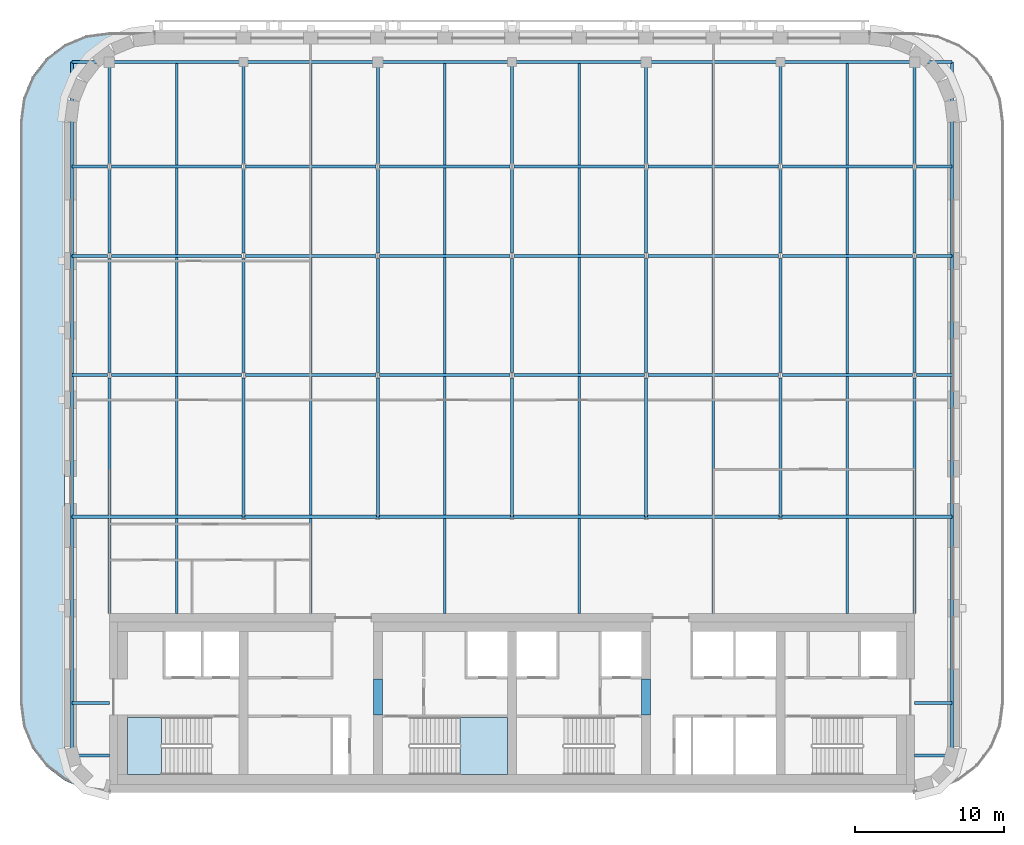
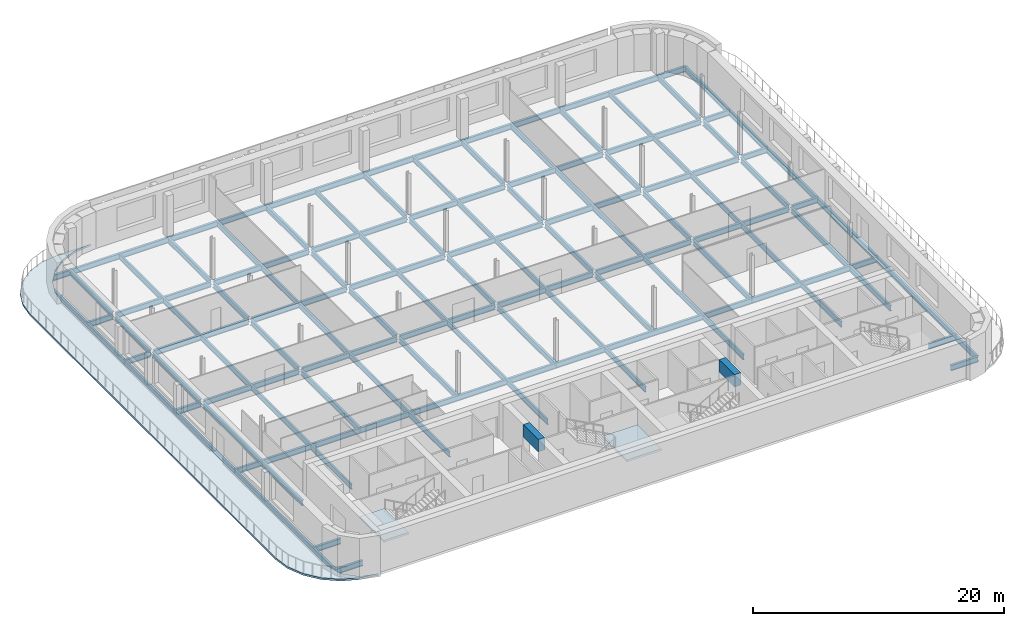
# One storey, part 5 of 13: 78 beams, 3 slabs, 2 elements without a shape of their own.
"""IFC4 building model written with IfcOpenShell, lengths in metres."""

from ifc_helpers import new_model, si_unit, direction, frame, origin, origin_2d, place, context, subcontext, project, spatial, polyline, rectangle, i_section, outline, extrude, material, layer, layer_set, material_profile, profile_set, type_object, element, aggregate, save


model = new_model("IFC4")

# Units and contexts
model_context = context("Model", 3, precision=1e-05, world=origin(), true_north=direction((0.0, 1.0)))
body_context = subcontext(model_context, "Body", "Model", "MODEL_VIEW")
ifc_project = project(units=[si_unit("LENGTHUNIT", "METRE"), si_unit("AREAUNIT", "SQUARE_METRE"), si_unit("VOLUMEUNIT", "CUBIC_METRE"), si_unit("PLANEANGLEUNIT", "RADIAN"), si_unit("MASSUNIT", "GRAM", prefix="KILO")], contexts=[model_context])

# Site, building, storey
site_placement = place(None, origin())
site = spatial("IfcSite", under=ifc_project, at=site_placement, CompositionType="ELEMENT")
building_placement = place(site_placement, origin())
building = spatial("IfcBuilding", under=site, at=building_placement, Name="Zellij Exchange Tower", CompositionType="ELEMENT")
storey_placement = place(building_placement, frame((0.0, 0.0, 292.5)))
storey = spatial("IfcBuildingStorey", under=building, at=storey_placement, Name="L69", CompositionType="ELEMENT", Elevation=292.5)

# Beams
ifc_material_1 = material(Name="Concrete C50/60", Category="concrete")
ifc_material_profile_1 = material_profile(ifc_material_1, rectangle(XDim=0.60009765625, YDim=1.199951171875, at=origin_2d()), Name="CORE-CB 600x1200 C50/60")
ifc_profile_set_1 = profile_set([ifc_material_profile_1], Name="Concrete C50/60")
beam_type_1 = type_object("IfcBeamType", Name="CORE-CB 600x1200 C50/60", PredefinedType="BEAM", material=ifc_profile_set_1)
for number, where, z_axis, x_axis, name in (
    (1, (-9.0, -8.800048828125, 3.0), (0.0, 1.0, 0.0), (-1.0, 0.0, 0.0), "Core coupling beam x -9 L69"),
    (2, (9.0, -8.800048828125, 3.0), (0.0, 1.0, 0.0), (-1.0, 0.0, 0.0), "Core coupling beam x 9 L69"),
):
    element("IfcBeam", number, at=place(storey_placement, frame(where, z_axis=z_axis, x_axis=x_axis)), inside=storey, type_object=beam_type_1, Name=name, PredefinedType="BEAM", context=body_context, shape_type="SweptSolid", body=[
        extrude(rectangle(XDim=0.60009765625, YDim=1.199951171875, at=origin_2d()), origin(), (0.0, 0.0, 1.0), 2.425048828125),
    ])
ifc_material_2 = material(Name="Structural steel ASTM A992 Gr 50", Category="steel")
ifc_material_profile_2 = material_profile(ifc_material_2, i_section(OverallWidth=0.1650390625, OverallDepth=0.52587890625, WebThickness=0.0087890625, FlangeThickness=0.011474609375, at=origin_2d()), Name="W21x44")
ifc_profile_set_2 = profile_set([ifc_material_profile_2], Name="Structural steel ASTM A992 Gr 50")
beam_type_2 = type_object("IfcBeamType", Name="STR-BEAM W21x44", PredefinedType="BEAM", material=ifc_profile_set_2)
for number, where, z_axis, x_axis, name in (
    (3, (-22.5, -2.0, -0.48291015625), (0.0, 1.0, 0.0), (-1.0, 0.0, 0.0), "B2"),
    (4, (-13.5, -2.0, -0.48291015625), (0.0, 1.0, 0.0), (-1.0, 0.0, 0.0), "B2"),
    (5, (-4.5, -2.0, -0.48291015625), (0.0, 1.0, 0.0), (-1.0, 0.0, 0.0), "B2"),
    (6, (4.5, -2.0, -0.48291015625), (0.0, 1.0, 0.0), (-1.0, 0.0, 0.0), "B2"),
    (7, (13.5, -2.0, -0.48291015625), (0.0, 1.0, 0.0), (-1.0, 0.0, 0.0), "B2"),
    (8, (22.5, -2.0, -0.48291015625), (0.0, 1.0, 0.0), (-1.0, 0.0, 0.0), "B2"),
):
    element("IfcBeam", number, at=place(storey_placement, frame(where, z_axis=z_axis, x_axis=x_axis)), inside=storey, type_object=beam_type_2, Name=name, PredefinedType="BEAM", context=body_context, shape_type="SweptSolid", body=[
        extrude(i_section(OverallWidth=0.1650390625, OverallDepth=0.52587890625, WebThickness=0.0087890625, FlangeThickness=0.011474609375, at=origin_2d()), origin(), (0.0, 0.0, 1.0), 37.1044921875),
    ])
ifc_material_profile_3 = material_profile(ifc_material_2, i_section(OverallWidth=0.209228515625, OverallDepth=0.533447265625, WebThickness=0.01025390625, FlangeThickness=0.015625, at=origin_2d()), Name="W21x62")
ifc_profile_set_3 = profile_set([ifc_material_profile_3], Name="Structural steel ASTM A992 Gr 50")
beam_type_3 = type_object("IfcBeamType", Name="STR-GIRDER W21x62", PredefinedType="BEAM", material=ifc_profile_set_3)
for number, where, z_axis, x_axis, name in (
    (9, (-29.5, -11.5, -0.48681640625), (1.0, 0.0, 0.0), (0.0, 1.0, 0.0), "G1"),
    (10, (27.0, -11.5, -0.48681640625), (1.0, 0.0, 0.0), (0.0, 1.0, 0.0), "G1"),
    (11, (-29.5, -8.0, -0.48681640625), (1.0, 0.0, 0.0), (0.0, 1.0, 0.0), "G1"),
    (12, (27.0, -8.0, -0.48681640625), (1.0, 0.0, 0.0), (0.0, 1.0, 0.0), "G1"),
):
    element("IfcBeam", number, at=place(storey_placement, frame(where, z_axis=z_axis, x_axis=x_axis)), inside=storey, type_object=beam_type_3, Name=name, PredefinedType="BEAM", context=body_context, shape_type="SweptSolid", body=[
        extrude(i_section(OverallWidth=0.209228515625, OverallDepth=0.533447265625, WebThickness=0.01025390625, FlangeThickness=0.015625, at=origin_2d()), origin(), (0.0, 0.0, 1.0), 2.5),
    ])
beam_1_placement = place(storey_placement, frame((-29.5, 4.5, -0.48681640625), z_axis=(1.0, 0.0, 0.0), x_axis=(0.0, 1.0, 0.0)))
element("IfcBeam", 13, at=beam_1_placement, inside=storey, type_object=beam_type_3, Name="G1", PredefinedType="BEAM", context=body_context, shape_type="SweptSolid", body=[
    extrude(i_section(OverallWidth=0.209228515625, OverallDepth=0.533447265625, WebThickness=0.01025390625, FlangeThickness=0.015625, at=origin_2d()), origin(), (0.0, 0.0, 1.0), 11.5),
])
for number, where, z_axis, x_axis, name in (
    (14, (-18.0, 4.5, -0.48681640625), (1.0, 0.0, 0.0), (0.0, 1.0, 0.0), "G1"),
    (15, (0.0, 4.5, -0.48681640625), (1.0, 0.0, 0.0), (0.0, 1.0, 0.0), "G1"),
):
    element("IfcBeam", number, at=place(storey_placement, frame(where, z_axis=z_axis, x_axis=x_axis)), inside=storey, type_object=beam_type_3, Name=name, PredefinedType="BEAM", context=body_context, shape_type="SweptSolid", body=[
        extrude(i_section(OverallWidth=0.209228515625, OverallDepth=0.533447265625, WebThickness=0.01025390625, FlangeThickness=0.015625, at=origin_2d()), origin(), (0.0, 0.0, 1.0), 18.0),
    ])
beam_2_placement = place(storey_placement, frame((18.0, 4.5, -0.48681640625), z_axis=(1.0, 0.0, 0.0), x_axis=(0.0, 1.0, 0.0)))
element("IfcBeam", 16, at=beam_2_placement, inside=storey, type_object=beam_type_3, Name="G1", PredefinedType="BEAM", context=body_context, shape_type="SweptSolid", body=[
    extrude(i_section(OverallWidth=0.209228515625, OverallDepth=0.533447265625, WebThickness=0.01025390625, FlangeThickness=0.015625, at=origin_2d()), origin(), (0.0, 0.0, 1.0), 11.5),
])
beam_3_placement = place(storey_placement, frame((-29.5, 14.0, -0.48681640625), z_axis=(1.0, 0.0, 0.0), x_axis=(0.0, 1.0, 0.0)))
element("IfcBeam", 17, at=beam_3_placement, inside=storey, type_object=beam_type_3, Name="G1", PredefinedType="BEAM", context=body_context, shape_type="SweptSolid", body=[
    extrude(i_section(OverallWidth=0.209228515625, OverallDepth=0.533447265625, WebThickness=0.01025390625, FlangeThickness=0.015625, at=origin_2d()), origin(), (0.0, 0.0, 1.0), 2.373046875),
])
for number, where, z_axis, x_axis, name in (
    (18, (-26.873046875, 14.0, -0.48681640625), (1.0, 0.0, 0.0), (0.0, 1.0, 0.0), "G1"),
    (19, (-17.873046875, 14.0, -0.48681640625), (1.0, 0.0, 0.0), (0.0, 1.0, 0.0), "G1"),
    (20, (-8.873046875, 14.0, -0.48681640625), (1.0, 0.0, 0.0), (0.0, 1.0, 0.0), "G1"),
    (21, (0.126953125, 14.0, -0.48681640625), (1.0, 0.0, 0.0), (0.0, 1.0, 0.0), "G1"),
    (22, (9.126953125, 14.0, -0.48681640625), (1.0, 0.0, 0.0), (0.0, 1.0, 0.0), "G1"),
    (23, (18.126953125, 14.0, -0.48681640625), (1.0, 0.0, 0.0), (0.0, 1.0, 0.0), "G1"),
):
    element("IfcBeam", number, at=place(storey_placement, frame(where, z_axis=z_axis, x_axis=x_axis)), inside=storey, type_object=beam_type_3, Name=name, PredefinedType="BEAM", context=body_context, shape_type="SweptSolid", body=[
        extrude(i_section(OverallWidth=0.209228515625, OverallDepth=0.533447265625, WebThickness=0.01025390625, FlangeThickness=0.015625, at=origin_2d()), origin(), (0.0, 0.0, 1.0), 8.74609375),
    ])
for number, where, z_axis, x_axis, name in (
    (24, (27.126953125, 14.0, -0.48681640625), (1.0, 0.0, 0.0), (0.0, 1.0, 0.0), "G1"),
    (25, (-29.5, 22.0, -0.48681640625), (1.0, 0.0, 0.0), (0.0, 1.0, 0.0), "G1"),
):
    element("IfcBeam", number, at=place(storey_placement, frame(where, z_axis=z_axis, x_axis=x_axis)), inside=storey, type_object=beam_type_3, Name=name, PredefinedType="BEAM", context=body_context, shape_type="SweptSolid", body=[
        extrude(i_section(OverallWidth=0.209228515625, OverallDepth=0.533447265625, WebThickness=0.01025390625, FlangeThickness=0.015625, at=origin_2d()), origin(), (0.0, 0.0, 1.0), 2.373046875),
    ])
for number, where, z_axis, x_axis, name in (
    (26, (-26.873046875, 22.0, -0.48681640625), (1.0, 0.0, 0.0), (0.0, 1.0, 0.0), "G1"),
    (27, (-17.873046875, 22.0, -0.48681640625), (1.0, 0.0, 0.0), (0.0, 1.0, 0.0), "G1"),
    (28, (-8.873046875, 22.0, -0.48681640625), (1.0, 0.0, 0.0), (0.0, 1.0, 0.0), "G1"),
    (29, (0.126953125, 22.0, -0.48681640625), (1.0, 0.0, 0.0), (0.0, 1.0, 0.0), "G1"),
    (30, (9.126953125, 22.0, -0.48681640625), (1.0, 0.0, 0.0), (0.0, 1.0, 0.0), "G1"),
    (31, (18.126953125, 22.0, -0.48681640625), (1.0, 0.0, 0.0), (0.0, 1.0, 0.0), "G1"),
):
    element("IfcBeam", number, at=place(storey_placement, frame(where, z_axis=z_axis, x_axis=x_axis)), inside=storey, type_object=beam_type_3, Name=name, PredefinedType="BEAM", context=body_context, shape_type="SweptSolid", body=[
        extrude(i_section(OverallWidth=0.209228515625, OverallDepth=0.533447265625, WebThickness=0.01025390625, FlangeThickness=0.015625, at=origin_2d()), origin(), (0.0, 0.0, 1.0), 8.74609375),
    ])
for number, where, z_axis, x_axis, name in (
    (32, (27.126953125, 22.0, -0.48681640625), (1.0, 0.0, 0.0), (0.0, 1.0, 0.0), "G1"),
    (33, (-29.5, 28.0, -0.48681640625), (1.0, 0.0, 0.0), (0.0, 1.0, 0.0), "G1"),
):
    element("IfcBeam", number, at=place(storey_placement, frame(where, z_axis=z_axis, x_axis=x_axis)), inside=storey, type_object=beam_type_3, Name=name, PredefinedType="BEAM", context=body_context, shape_type="SweptSolid", body=[
        extrude(i_section(OverallWidth=0.209228515625, OverallDepth=0.533447265625, WebThickness=0.01025390625, FlangeThickness=0.015625, at=origin_2d()), origin(), (0.0, 0.0, 1.0), 2.373046875),
    ])
for number, where, z_axis, x_axis, name in (
    (34, (-26.873046875, 28.0, -0.48681640625), (1.0, 0.0, 0.0), (0.0, 1.0, 0.0), "G1"),
    (35, (-17.873046875, 28.0, -0.48681640625), (1.0, 0.0, 0.0), (0.0, 1.0, 0.0), "G1"),
    (36, (-8.873046875, 28.0, -0.48681640625), (1.0, 0.0, 0.0), (0.0, 1.0, 0.0), "G1"),
    (37, (0.126953125, 28.0, -0.48681640625), (1.0, 0.0, 0.0), (0.0, 1.0, 0.0), "G1"),
    (38, (9.126953125, 28.0, -0.48681640625), (1.0, 0.0, 0.0), (0.0, 1.0, 0.0), "G1"),
    (39, (18.126953125, 28.0, -0.48681640625), (1.0, 0.0, 0.0), (0.0, 1.0, 0.0), "G1"),
):
    element("IfcBeam", number, at=place(storey_placement, frame(where, z_axis=z_axis, x_axis=x_axis)), inside=storey, type_object=beam_type_3, Name=name, PredefinedType="BEAM", context=body_context, shape_type="SweptSolid", body=[
        extrude(i_section(OverallWidth=0.209228515625, OverallDepth=0.533447265625, WebThickness=0.01025390625, FlangeThickness=0.015625, at=origin_2d()), origin(), (0.0, 0.0, 1.0), 8.74609375),
    ])
beam_4_placement = place(storey_placement, frame((27.126953125, 28.0, -0.48681640625), z_axis=(1.0, 0.0, 0.0), x_axis=(0.0, 1.0, 0.0)))
element("IfcBeam", 40, at=beam_4_placement, inside=storey, type_object=beam_type_3, Name="G1", PredefinedType="BEAM", context=body_context, shape_type="SweptSolid", body=[
    extrude(i_section(OverallWidth=0.209228515625, OverallDepth=0.533447265625, WebThickness=0.01025390625, FlangeThickness=0.015625, at=origin_2d()), origin(), (0.0, 0.0, 1.0), 2.373046875),
])
beam_5_placement = place(storey_placement, frame((-29.5, 35.0, -0.48681640625), z_axis=(1.0, 0.0, 0.0), x_axis=(0.0, 1.0, 0.0)))
element("IfcBeam", 41, at=beam_5_placement, inside=storey, type_object=beam_type_3, Name="G1", PredefinedType="BEAM", context=body_context, shape_type="SweptSolid", body=[
    extrude(i_section(OverallWidth=0.209228515625, OverallDepth=0.533447265625, WebThickness=0.01025390625, FlangeThickness=0.015625, at=origin_2d()), origin(), (0.0, 0.0, 1.0), 11.5),
])
for number, where, z_axis, x_axis, name in (
    (42, (-18.0, 35.0, -0.48681640625), (1.0, 0.0, 0.0), (0.0, 1.0, 0.0), "G1"),
    (43, (0.0, 35.0, -0.48681640625), (1.0, 0.0, 0.0), (0.0, 1.0, 0.0), "G1"),
):
    element("IfcBeam", number, at=place(storey_placement, frame(where, z_axis=z_axis, x_axis=x_axis)), inside=storey, type_object=beam_type_3, Name=name, PredefinedType="BEAM", context=body_context, shape_type="SweptSolid", body=[
        extrude(i_section(OverallWidth=0.209228515625, OverallDepth=0.533447265625, WebThickness=0.01025390625, FlangeThickness=0.015625, at=origin_2d()), origin(), (0.0, 0.0, 1.0), 18.0),
    ])
beam_6_placement = place(storey_placement, frame((18.0, 35.0, -0.48681640625), z_axis=(1.0, 0.0, 0.0), x_axis=(0.0, 1.0, 0.0)))
element("IfcBeam", 44, at=beam_6_placement, inside=storey, type_object=beam_type_3, Name="G1", PredefinedType="BEAM", context=body_context, shape_type="SweptSolid", body=[
    extrude(i_section(OverallWidth=0.209228515625, OverallDepth=0.533447265625, WebThickness=0.01025390625, FlangeThickness=0.015625, at=origin_2d()), origin(), (0.0, 0.0, 1.0), 11.5),
])
beam_7_placement = place(storey_placement, frame((-29.5, -11.5, -0.48681640625), z_axis=(0.0, 1.0, 0.0), x_axis=(-1.0, 0.0, 0.0)))
element("IfcBeam", 45, at=beam_7_placement, inside=storey, type_object=beam_type_3, Name="G1", PredefinedType="BEAM", context=body_context, shape_type="SweptSolid", body=[
    extrude(i_section(OverallWidth=0.209228515625, OverallDepth=0.533447265625, WebThickness=0.01025390625, FlangeThickness=0.015625, at=origin_2d()), origin(), (0.0, 0.0, 1.0), 16.0),
])
beam_8_placement = place(storey_placement, frame((-29.5, 4.5, -0.48681640625), z_axis=(0.0, 1.0, 0.0), x_axis=(-1.0, 0.0, 0.0)))
element("IfcBeam", 46, at=beam_8_placement, inside=storey, type_object=beam_type_3, Name="G1", PredefinedType="BEAM", context=body_context, shape_type="SweptSolid", body=[
    extrude(i_section(OverallWidth=0.209228515625, OverallDepth=0.533447265625, WebThickness=0.01025390625, FlangeThickness=0.015625, at=origin_2d()), origin(), (0.0, 0.0, 1.0), 17.5),
])
beam_9_placement = place(storey_placement, frame((-29.5, 22.0, -0.48681640625), z_axis=(0.0, 1.0, 0.0), x_axis=(-1.0, 0.0, 0.0)))
element("IfcBeam", 47, at=beam_9_placement, inside=storey, type_object=beam_type_3, Name="G1", PredefinedType="BEAM", context=body_context, shape_type="SweptSolid", body=[
    extrude(i_section(OverallWidth=0.209228515625, OverallDepth=0.533447265625, WebThickness=0.01025390625, FlangeThickness=0.015625, at=origin_2d()), origin(), (0.0, 0.0, 1.0), 13.0),
])
beam_10_placement = place(storey_placement, frame((-27.0, -2.0, -0.48681640625), z_axis=(0.0, 1.0, 0.0), x_axis=(-1.0, 0.0, 0.0)))
element("IfcBeam", 48, at=beam_10_placement, inside=storey, type_object=beam_type_3, Name="G1", PredefinedType="BEAM", context=body_context, shape_type="SweptSolid", body=[
    extrude(i_section(OverallWidth=0.209228515625, OverallDepth=0.533447265625, WebThickness=0.01025390625, FlangeThickness=0.015625, at=origin_2d()), origin(), (0.0, 0.0, 1.0), 15.823486328125),
])
beam_11_placement = place(storey_placement, frame((-27.0, 14.176513671875, -0.48681640625), z_axis=(0.0, 1.0, 0.0), x_axis=(-1.0, 0.0, 0.0)))
element("IfcBeam", 49, at=beam_11_placement, inside=storey, type_object=beam_type_3, Name="G1", PredefinedType="BEAM", context=body_context, shape_type="SweptSolid", body=[
    extrude(i_section(OverallWidth=0.209228515625, OverallDepth=0.533447265625, WebThickness=0.01025390625, FlangeThickness=0.015625, at=origin_2d()), origin(), (0.0, 0.0, 1.0), 7.64697265625),
])
beam_12_placement = place(storey_placement, frame((-27.0, 22.176513671875, -0.48681640625), z_axis=(0.0, 1.0, 0.0), x_axis=(-1.0, 0.0, 0.0)))
element("IfcBeam", 50, at=beam_12_placement, inside=storey, type_object=beam_type_3, Name="G1", PredefinedType="BEAM", context=body_context, shape_type="SweptSolid", body=[
    extrude(i_section(OverallWidth=0.209228515625, OverallDepth=0.533447265625, WebThickness=0.01025390625, FlangeThickness=0.015625, at=origin_2d()), origin(), (0.0, 0.0, 1.0), 5.64697265625),
])
beam_13_placement = place(storey_placement, frame((-27.0, 28.176513671875, -0.48681640625), z_axis=(0.0, 1.0, 0.0), x_axis=(-1.0, 0.0, 0.0)))
element("IfcBeam", 51, at=beam_13_placement, inside=storey, type_object=beam_type_3, Name="G1", PredefinedType="BEAM", context=body_context, shape_type="SweptSolid", body=[
    extrude(i_section(OverallWidth=0.209228515625, OverallDepth=0.533447265625, WebThickness=0.01025390625, FlangeThickness=0.015625, at=origin_2d()), origin(), (0.0, 0.0, 1.0), 6.823486328125),
])
beam_14_placement = place(storey_placement, frame((-18.0, 4.5, -0.48681640625), z_axis=(0.0, 1.0, 0.0), x_axis=(-1.0, 0.0, 0.0)))
element("IfcBeam", 52, at=beam_14_placement, inside=storey, type_object=beam_type_3, Name="G1", PredefinedType="BEAM", context=body_context, shape_type="SweptSolid", body=[
    extrude(i_section(OverallWidth=0.209228515625, OverallDepth=0.533447265625, WebThickness=0.01025390625, FlangeThickness=0.015625, at=origin_2d()), origin(), (0.0, 0.0, 1.0), 9.323486328125),
])
beam_15_placement = place(storey_placement, frame((-18.0, 14.176513671875, -0.48681640625), z_axis=(0.0, 1.0, 0.0), x_axis=(-1.0, 0.0, 0.0)))
element("IfcBeam", 53, at=beam_15_placement, inside=storey, type_object=beam_type_3, Name="G1", PredefinedType="BEAM", context=body_context, shape_type="SweptSolid", body=[
    extrude(i_section(OverallWidth=0.209228515625, OverallDepth=0.533447265625, WebThickness=0.01025390625, FlangeThickness=0.015625, at=origin_2d()), origin(), (0.0, 0.0, 1.0), 7.64697265625),
])
beam_16_placement = place(storey_placement, frame((-18.0, 22.176513671875, -0.48681640625), z_axis=(0.0, 1.0, 0.0), x_axis=(-1.0, 0.0, 0.0)))
element("IfcBeam", 54, at=beam_16_placement, inside=storey, type_object=beam_type_3, Name="G1", PredefinedType="BEAM", context=body_context, shape_type="SweptSolid", body=[
    extrude(i_section(OverallWidth=0.209228515625, OverallDepth=0.533447265625, WebThickness=0.01025390625, FlangeThickness=0.015625, at=origin_2d()), origin(), (0.0, 0.0, 1.0), 5.64697265625),
])
beam_17_placement = place(storey_placement, frame((-18.0, 28.176513671875, -0.48681640625), z_axis=(0.0, 1.0, 0.0), x_axis=(-1.0, 0.0, 0.0)))
element("IfcBeam", 55, at=beam_17_placement, inside=storey, type_object=beam_type_3, Name="G1", PredefinedType="BEAM", context=body_context, shape_type="SweptSolid", body=[
    extrude(i_section(OverallWidth=0.209228515625, OverallDepth=0.533447265625, WebThickness=0.01025390625, FlangeThickness=0.015625, at=origin_2d()), origin(), (0.0, 0.0, 1.0), 6.823486328125),
])
beam_18_placement = place(storey_placement, frame((-9.0, 4.5, -0.48681640625), z_axis=(0.0, 1.0, 0.0), x_axis=(-1.0, 0.0, 0.0)))
element("IfcBeam", 56, at=beam_18_placement, inside=storey, type_object=beam_type_3, Name="G1", PredefinedType="BEAM", context=body_context, shape_type="SweptSolid", body=[
    extrude(i_section(OverallWidth=0.209228515625, OverallDepth=0.533447265625, WebThickness=0.01025390625, FlangeThickness=0.015625, at=origin_2d()), origin(), (0.0, 0.0, 1.0), 9.323486328125),
])
beam_19_placement = place(storey_placement, frame((-9.0, 14.176513671875, -0.48681640625), z_axis=(0.0, 1.0, 0.0), x_axis=(-1.0, 0.0, 0.0)))
element("IfcBeam", 57, at=beam_19_placement, inside=storey, type_object=beam_type_3, Name="G1", PredefinedType="BEAM", context=body_context, shape_type="SweptSolid", body=[
    extrude(i_section(OverallWidth=0.209228515625, OverallDepth=0.533447265625, WebThickness=0.01025390625, FlangeThickness=0.015625, at=origin_2d()), origin(), (0.0, 0.0, 1.0), 7.64697265625),
])
beam_20_placement = place(storey_placement, frame((-9.0, 22.176513671875, -0.48681640625), z_axis=(0.0, 1.0, 0.0), x_axis=(-1.0, 0.0, 0.0)))
element("IfcBeam", 58, at=beam_20_placement, inside=storey, type_object=beam_type_3, Name="G1", PredefinedType="BEAM", context=body_context, shape_type="SweptSolid", body=[
    extrude(i_section(OverallWidth=0.209228515625, OverallDepth=0.533447265625, WebThickness=0.01025390625, FlangeThickness=0.015625, at=origin_2d()), origin(), (0.0, 0.0, 1.0), 5.64697265625),
])
beam_21_placement = place(storey_placement, frame((-9.0, 28.176513671875, -0.48681640625), z_axis=(0.0, 1.0, 0.0), x_axis=(-1.0, 0.0, 0.0)))
element("IfcBeam", 59, at=beam_21_placement, inside=storey, type_object=beam_type_3, Name="G1", PredefinedType="BEAM", context=body_context, shape_type="SweptSolid", body=[
    extrude(i_section(OverallWidth=0.209228515625, OverallDepth=0.533447265625, WebThickness=0.01025390625, FlangeThickness=0.015625, at=origin_2d()), origin(), (0.0, 0.0, 1.0), 6.823486328125),
])
beam_22_placement = place(storey_placement, frame((0.0, 4.5, -0.48681640625), z_axis=(0.0, 1.0, 0.0), x_axis=(-1.0, 0.0, 0.0)))
element("IfcBeam", 60, at=beam_22_placement, inside=storey, type_object=beam_type_3, Name="G1", PredefinedType="BEAM", context=body_context, shape_type="SweptSolid", body=[
    extrude(i_section(OverallWidth=0.209228515625, OverallDepth=0.533447265625, WebThickness=0.01025390625, FlangeThickness=0.015625, at=origin_2d()), origin(), (0.0, 0.0, 1.0), 9.323486328125),
])
beam_23_placement = place(storey_placement, frame((0.0, 14.176513671875, -0.48681640625), z_axis=(0.0, 1.0, 0.0), x_axis=(-1.0, 0.0, 0.0)))
element("IfcBeam", 61, at=beam_23_placement, inside=storey, type_object=beam_type_3, Name="G1", PredefinedType="BEAM", context=body_context, shape_type="SweptSolid", body=[
    extrude(i_section(OverallWidth=0.209228515625, OverallDepth=0.533447265625, WebThickness=0.01025390625, FlangeThickness=0.015625, at=origin_2d()), origin(), (0.0, 0.0, 1.0), 7.64697265625),
])
beam_24_placement = place(storey_placement, frame((0.0, 22.176513671875, -0.48681640625), z_axis=(0.0, 1.0, 0.0), x_axis=(-1.0, 0.0, 0.0)))
element("IfcBeam", 62, at=beam_24_placement, inside=storey, type_object=beam_type_3, Name="G1", PredefinedType="BEAM", context=body_context, shape_type="SweptSolid", body=[
    extrude(i_section(OverallWidth=0.209228515625, OverallDepth=0.533447265625, WebThickness=0.01025390625, FlangeThickness=0.015625, at=origin_2d()), origin(), (0.0, 0.0, 1.0), 5.64697265625),
])
beam_25_placement = place(storey_placement, frame((0.0, 28.176513671875, -0.48681640625), z_axis=(0.0, 1.0, 0.0), x_axis=(-1.0, 0.0, 0.0)))
element("IfcBeam", 63, at=beam_25_placement, inside=storey, type_object=beam_type_3, Name="G1", PredefinedType="BEAM", context=body_context, shape_type="SweptSolid", body=[
    extrude(i_section(OverallWidth=0.209228515625, OverallDepth=0.533447265625, WebThickness=0.01025390625, FlangeThickness=0.015625, at=origin_2d()), origin(), (0.0, 0.0, 1.0), 6.823486328125),
])
beam_26_placement = place(storey_placement, frame((9.0, 4.5, -0.48681640625), z_axis=(0.0, 1.0, 0.0), x_axis=(-1.0, 0.0, 0.0)))
element("IfcBeam", 64, at=beam_26_placement, inside=storey, type_object=beam_type_3, Name="G1", PredefinedType="BEAM", context=body_context, shape_type="SweptSolid", body=[
    extrude(i_section(OverallWidth=0.209228515625, OverallDepth=0.533447265625, WebThickness=0.01025390625, FlangeThickness=0.015625, at=origin_2d()), origin(), (0.0, 0.0, 1.0), 9.323486328125),
])
beam_27_placement = place(storey_placement, frame((9.0, 14.176513671875, -0.48681640625), z_axis=(0.0, 1.0, 0.0), x_axis=(-1.0, 0.0, 0.0)))
element("IfcBeam", 65, at=beam_27_placement, inside=storey, type_object=beam_type_3, Name="G1", PredefinedType="BEAM", context=body_context, shape_type="SweptSolid", body=[
    extrude(i_section(OverallWidth=0.209228515625, OverallDepth=0.533447265625, WebThickness=0.01025390625, FlangeThickness=0.015625, at=origin_2d()), origin(), (0.0, 0.0, 1.0), 7.64697265625),
])
beam_28_placement = place(storey_placement, frame((9.0, 22.176513671875, -0.48681640625), z_axis=(0.0, 1.0, 0.0), x_axis=(-1.0, 0.0, 0.0)))
element("IfcBeam", 66, at=beam_28_placement, inside=storey, type_object=beam_type_3, Name="G1", PredefinedType="BEAM", context=body_context, shape_type="SweptSolid", body=[
    extrude(i_section(OverallWidth=0.209228515625, OverallDepth=0.533447265625, WebThickness=0.01025390625, FlangeThickness=0.015625, at=origin_2d()), origin(), (0.0, 0.0, 1.0), 5.64697265625),
])
beam_29_placement = place(storey_placement, frame((9.0, 28.176513671875, -0.48681640625), z_axis=(0.0, 1.0, 0.0), x_axis=(-1.0, 0.0, 0.0)))
element("IfcBeam", 67, at=beam_29_placement, inside=storey, type_object=beam_type_3, Name="G1", PredefinedType="BEAM", context=body_context, shape_type="SweptSolid", body=[
    extrude(i_section(OverallWidth=0.209228515625, OverallDepth=0.533447265625, WebThickness=0.01025390625, FlangeThickness=0.015625, at=origin_2d()), origin(), (0.0, 0.0, 1.0), 6.823486328125),
])
beam_30_placement = place(storey_placement, frame((18.0, 4.5, -0.48681640625), z_axis=(0.0, 1.0, 0.0), x_axis=(-1.0, 0.0, 0.0)))
element("IfcBeam", 68, at=beam_30_placement, inside=storey, type_object=beam_type_3, Name="G1", PredefinedType="BEAM", context=body_context, shape_type="SweptSolid", body=[
    extrude(i_section(OverallWidth=0.209228515625, OverallDepth=0.533447265625, WebThickness=0.01025390625, FlangeThickness=0.015625, at=origin_2d()), origin(), (0.0, 0.0, 1.0), 9.323486328125),
])
beam_31_placement = place(storey_placement, frame((18.0, 14.176513671875, -0.48681640625), z_axis=(0.0, 1.0, 0.0), x_axis=(-1.0, 0.0, 0.0)))
element("IfcBeam", 69, at=beam_31_placement, inside=storey, type_object=beam_type_3, Name="G1", PredefinedType="BEAM", context=body_context, shape_type="SweptSolid", body=[
    extrude(i_section(OverallWidth=0.209228515625, OverallDepth=0.533447265625, WebThickness=0.01025390625, FlangeThickness=0.015625, at=origin_2d()), origin(), (0.0, 0.0, 1.0), 7.64697265625),
])
beam_32_placement = place(storey_placement, frame((18.0, 22.176513671875, -0.48681640625), z_axis=(0.0, 1.0, 0.0), x_axis=(-1.0, 0.0, 0.0)))
element("IfcBeam", 70, at=beam_32_placement, inside=storey, type_object=beam_type_3, Name="G1", PredefinedType="BEAM", context=body_context, shape_type="SweptSolid", body=[
    extrude(i_section(OverallWidth=0.209228515625, OverallDepth=0.533447265625, WebThickness=0.01025390625, FlangeThickness=0.015625, at=origin_2d()), origin(), (0.0, 0.0, 1.0), 5.64697265625),
])
beam_33_placement = place(storey_placement, frame((18.0, 28.176513671875, -0.48681640625), z_axis=(0.0, 1.0, 0.0), x_axis=(-1.0, 0.0, 0.0)))
element("IfcBeam", 71, at=beam_33_placement, inside=storey, type_object=beam_type_3, Name="G1", PredefinedType="BEAM", context=body_context, shape_type="SweptSolid", body=[
    extrude(i_section(OverallWidth=0.209228515625, OverallDepth=0.533447265625, WebThickness=0.01025390625, FlangeThickness=0.015625, at=origin_2d()), origin(), (0.0, 0.0, 1.0), 6.823486328125),
])
beam_34_placement = place(storey_placement, frame((27.0, -2.0, -0.48681640625), z_axis=(0.0, 1.0, 0.0), x_axis=(-1.0, 0.0, 0.0)))
element("IfcBeam", 72, at=beam_34_placement, inside=storey, type_object=beam_type_3, Name="G1", PredefinedType="BEAM", context=body_context, shape_type="SweptSolid", body=[
    extrude(i_section(OverallWidth=0.209228515625, OverallDepth=0.533447265625, WebThickness=0.01025390625, FlangeThickness=0.015625, at=origin_2d()), origin(), (0.0, 0.0, 1.0), 15.823486328125),
])
beam_35_placement = place(storey_placement, frame((27.0, 14.176513671875, -0.48681640625), z_axis=(0.0, 1.0, 0.0), x_axis=(-1.0, 0.0, 0.0)))
element("IfcBeam", 73, at=beam_35_placement, inside=storey, type_object=beam_type_3, Name="G1", PredefinedType="BEAM", context=body_context, shape_type="SweptSolid", body=[
    extrude(i_section(OverallWidth=0.209228515625, OverallDepth=0.533447265625, WebThickness=0.01025390625, FlangeThickness=0.015625, at=origin_2d()), origin(), (0.0, 0.0, 1.0), 7.64697265625),
])
beam_36_placement = place(storey_placement, frame((27.0, 22.176513671875, -0.48681640625), z_axis=(0.0, 1.0, 0.0), x_axis=(-1.0, 0.0, 0.0)))
element("IfcBeam", 74, at=beam_36_placement, inside=storey, type_object=beam_type_3, Name="G1", PredefinedType="BEAM", context=body_context, shape_type="SweptSolid", body=[
    extrude(i_section(OverallWidth=0.209228515625, OverallDepth=0.533447265625, WebThickness=0.01025390625, FlangeThickness=0.015625, at=origin_2d()), origin(), (0.0, 0.0, 1.0), 5.64697265625),
])
beam_37_placement = place(storey_placement, frame((27.0, 28.176513671875, -0.48681640625), z_axis=(0.0, 1.0, 0.0), x_axis=(-1.0, 0.0, 0.0)))
element("IfcBeam", 75, at=beam_37_placement, inside=storey, type_object=beam_type_3, Name="G1", PredefinedType="BEAM", context=body_context, shape_type="SweptSolid", body=[
    extrude(i_section(OverallWidth=0.209228515625, OverallDepth=0.533447265625, WebThickness=0.01025390625, FlangeThickness=0.015625, at=origin_2d()), origin(), (0.0, 0.0, 1.0), 6.823486328125),
])
beam_38_placement = place(storey_placement, frame((29.5, -11.5, -0.48681640625), z_axis=(0.0, 1.0, 0.0), x_axis=(-1.0, 0.0, 0.0)))
element("IfcBeam", 76, at=beam_38_placement, inside=storey, type_object=beam_type_3, Name="G1", PredefinedType="BEAM", context=body_context, shape_type="SweptSolid", body=[
    extrude(i_section(OverallWidth=0.209228515625, OverallDepth=0.533447265625, WebThickness=0.01025390625, FlangeThickness=0.015625, at=origin_2d()), origin(), (0.0, 0.0, 1.0), 16.0),
])
beam_39_placement = place(storey_placement, frame((29.5, 4.5, -0.48681640625), z_axis=(0.0, 1.0, 0.0), x_axis=(-1.0, 0.0, 0.0)))
element("IfcBeam", 77, at=beam_39_placement, inside=storey, type_object=beam_type_3, Name="G1", PredefinedType="BEAM", context=body_context, shape_type="SweptSolid", body=[
    extrude(i_section(OverallWidth=0.209228515625, OverallDepth=0.533447265625, WebThickness=0.01025390625, FlangeThickness=0.015625, at=origin_2d()), origin(), (0.0, 0.0, 1.0), 17.5),
])
beam_40_placement = place(storey_placement, frame((29.5, 22.0, -0.48681640625), z_axis=(0.0, 1.0, 0.0), x_axis=(-1.0, 0.0, 0.0)))
element("IfcBeam", 78, at=beam_40_placement, inside=storey, type_object=beam_type_3, Name="G1", PredefinedType="BEAM", context=body_context, shape_type="SweptSolid", body=[
    extrude(i_section(OverallWidth=0.209228515625, OverallDepth=0.533447265625, WebThickness=0.01025390625, FlangeThickness=0.015625, at=origin_2d()), origin(), (0.0, 0.0, 1.0), 13.0),
])

# Stair, slab
ifc_material_3 = material(Name="Concrete C40/50", Category="concrete")
stair_type = type_object("IfcStairType", Name="CORE-ST exit stair 1850 wide", PredefinedType="HALF_TURN_STAIR", material=ifc_material_3)
stair_1_placement = place(storey_placement, origin())
stair_1 = element("IfcStair", 79, at=stair_1_placement, inside=storey, type_object=stair_type, Name="L69 exit stair ST1", PredefinedType="HALF_TURN_STAIR")
ifc_layer_1 = layer(ifc_material_3, 0.199951171875)
ifc_layer_set_1 = layer_set([ifc_layer_1], Name="Concrete C40/50")
slab_type_1 = type_object("IfcSlabType", Name="CORE-SL stair landing 200", PredefinedType="LANDING", material=ifc_layer_set_1)
slab_1_placement = place(storey_placement, frame((0.0, 0.0, 1.800048828125)))
slab_1 = element("IfcSlab", 80, at=slab_1_placement, type_object=slab_type_1, Name="ST1 landing 1", PredefinedType="LANDING", context=body_context, shape_type="SweptSolid", body=[
    extrude(outline(polyline([(-23.510009765625, -8.949951171875), (-25.800048828125, -8.949951171875), (-25.800048828125, -12.800048828125), (-23.510009765625, -12.800048828125), (-23.510009765625, -8.949951171875)])), origin(), (0.0, 0.0, 1.0), 0.199951171875),
])
aggregate(stair_1, [slab_1])

stair_2_placement = place(storey_placement, origin())
stair_2 = element("IfcStair", 81, at=stair_2_placement, inside=storey, type_object=stair_type, Name="L69 exit stair ST2", PredefinedType="HALF_TURN_STAIR")
slab_2_placement = place(storey_placement, frame((0.0, 0.0, 1.800048828125)))
slab_2 = element("IfcSlab", 82, at=slab_2_placement, type_object=slab_type_1, Name="ST2 landing 1", PredefinedType="LANDING", context=body_context, shape_type="SweptSolid", body=[
    extrude(outline(polyline([(-3.489990234375, -12.800048828125), (-0.300048828125, -12.800048828125), (-0.300048828125, -8.949951171875), (-3.489990234375, -8.949951171875), (-3.489990234375, -12.800048828125)])), origin(), (0.0, 0.0, 1.0), 0.199951171875),
])
aggregate(stair_2, [slab_2])

# Slab
ifc_layer_2 = layer(ifc_material_3, 0.219970703125)
ifc_layer_set_2 = layer_set([ifc_layer_2], Name="Concrete C40/50")
slab_type_2 = type_object("IfcSlabType", Name="ENV-TERRACE SLAB 220 C40/50", PredefinedType="FLOOR", material=ifc_layer_set_2)
slab_3_placement = place(storey_placement, frame((0.0, 0.0, -0.219970703125)))
element("IfcSlab", 83, at=slab_3_placement, inside=storey, type_object=slab_type_2, Name="Terrace slab L69", PredefinedType="FLOOR", context=body_context, shape_type="SweptSolid", body=[
    extrude(outline(polyline([(-27.0, -14.0), (-28.5, -13.59814453125), (-29.59814453125, -12.5), (-30.0, -11.0), (-30.0, 31.0), (-29.795654296875, 32.552978515625), (-29.1962890625, 34.0), (-28.24267578125, 35.24267578125), (-27.0, 36.1962890625), (-25.552978515625, 36.795654296875), (-24.0, 37.0), (-27.0, 37.0), (-28.552978515625, 36.795654296875), (-30.0, 36.1962890625), (-31.24267578125, 35.24267578125), (-32.1962890625, 34.0), (-32.795654296875, 32.552978515625), (-33.0, 31.0), (-33.0, -8.0), (-32.795654296875, -9.552978515625), (-32.1962890625, -11.0), (-31.24267578125, -12.24267578125), (-30.0, -13.1962890625), (-28.552978515625, -13.795654296875), (-27.0, -14.0)])), origin(), (0.0, 0.0, 1.0), 0.179931640625),
])

save(model, "model.ifc")
